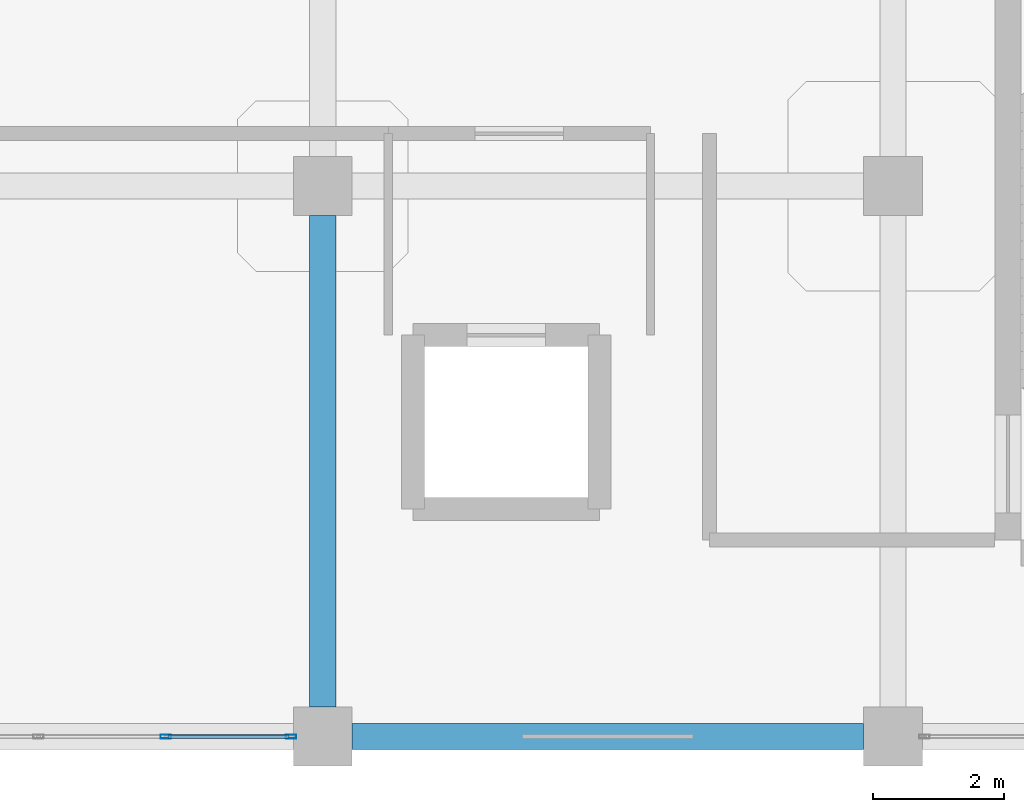
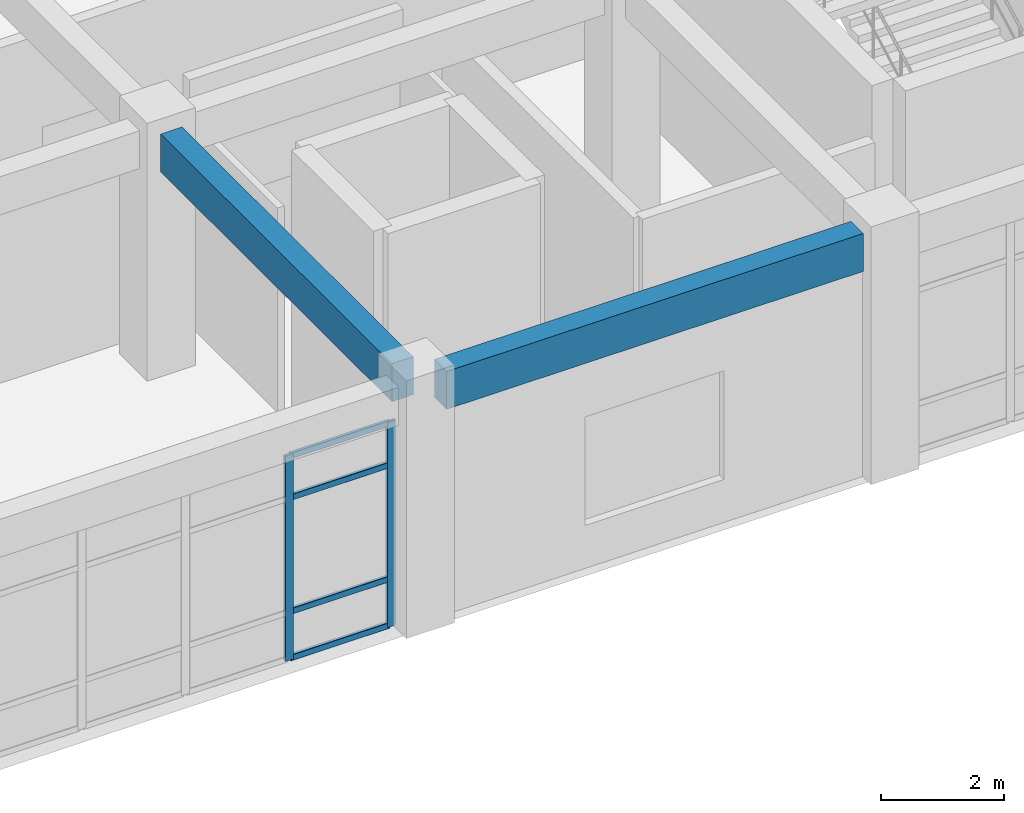
# One storey, part 56 of 120: 6 members, 2 beams, 1 element without a shape of its own.
"""IFC4 building model written with IfcOpenShell, lengths in metres."""

from ifc_helpers import new_model, si_unit, derived_unit, direction, frame, origin, origin_2d, place, context, subcontext, project, spatial, rectangle, hollow_rectangle, extrude, material, layer, layer_set, material_profile, profile_set, type_object, element, aggregate, save


model = new_model("IFC4")

# Units and contexts
model_context = context("Model", 3, precision=1e-05, world=origin(), true_north=direction((0.0, 1.0)))
body_context = subcontext(model_context, "Body", "Model", "MODEL_VIEW")
ifc_project = project(units=[si_unit("LENGTHUNIT", "METRE"), si_unit("AREAUNIT", "SQUARE_METRE"), si_unit("VOLUMEUNIT", "CUBIC_METRE"), si_unit("PLANEANGLEUNIT", "RADIAN"), si_unit("MASSUNIT", "GRAM", prefix="KILO"), derived_unit("THERMALTRANSMITTANCEUNIT", [(si_unit("MASSUNIT", "GRAM", prefix="KILO"), 1), (si_unit("TIMEUNIT", "SECOND"), -3), (si_unit("THERMODYNAMICTEMPERATUREUNIT", "KELVIN"), -1)])], contexts=[model_context])

# Site, building, storey
site_placement = place(None, origin())
site = spatial("IfcSite", under=ifc_project, at=site_placement, CompositionType="ELEMENT")
building_placement = place(site_placement, origin())
building = spatial("IfcBuilding", under=site, at=building_placement, Name="Qinzheling Arcade Emporium", CompositionType="ELEMENT")
storey_placement = place(building_placement, frame((0.0, 0.0, 11.39990234375)))
storey = spatial("IfcBuildingStorey", under=building, at=storey_placement, Name="L03", CompositionType="ELEMENT", Elevation=11.39990234375)

# Curtain wall, members
ifc_material_1 = material(Name="Anodised aluminium and solar-control double glazing", Category="aluminium")
ifc_layer = layer(ifc_material_1, 0.159912109375, Name="Anodised aluminium and solar-control double glazing", Category="aluminium")
ifc_layer_set = layer_set([ifc_layer], Name="Anodised aluminium and solar-control double glazing")
curtain_wall_type = type_object("IfcCurtainWallType", Name="Food Hall Loggia Curtain Wall", PredefinedType="NOTDEFINED", material=ifc_layer_set)
curtain_wall_placement = place(storey_placement, origin())
curtain_wall = element("IfcCurtainWall", 1, at=curtain_wall_placement, inside=storey, type_object=curtain_wall_type, Name="Curtain Wall CW-L03-138", PredefinedType="NOTDEFINED")
ifc_material_2 = material(Name="Anodised aluminium 6063-T6", Category="aluminium")
ifc_material_profile_1 = material_profile(ifc_material_2, hollow_rectangle(XDim=0.06005859375, YDim=0.159912109375, WallThickness=0.00390625, InnerFilletRadius=0.00390625, OuterFilletRadius=0.008056640625, at=origin_2d()), Name="RHS 160x60x4", Category="aluminium")
ifc_profile_set_1 = profile_set([ifc_material_profile_1], Name="Anodised aluminium 6063-T6")
member_type_1 = type_object("IfcMemberType", Name="Curtain Wall Mullion RHS160x60", PredefinedType="MULLION", material=ifc_profile_set_1)
member_1_placement = place(storey_placement, frame((130.01806640625, 0.0, 0.0), z_axis=(0.0, 0.0, 1.0), x_axis=(0.0, -1.0, 0.0)))
member_1 = element("IfcMember", 2, at=member_1_placement, type_object=member_type_1, Name="CW04 mullion 1", PredefinedType="MULLION", context=body_context, shape_type="SweptSolid", body=[
    extrude(hollow_rectangle(XDim=0.06005859375, YDim=0.159912109375, WallThickness=0.00390625, InnerFilletRadius=0.00390625, OuterFilletRadius=0.008056640625, at=origin_2d()), origin(), (0.0, 0.0, 1.0), 4.05517578125),
])
member_2_placement = place(storey_placement, frame((128.105224609375, 0.0, 0.0), z_axis=(0.0, 0.0, 1.0), x_axis=(0.0, -1.0, 0.0)))
member_2 = element("IfcMember", 3, at=member_2_placement, type_object=member_type_1, Name="CW04 mullion 2", PredefinedType="MULLION", context=body_context, shape_type="SweptSolid", body=[
    extrude(hollow_rectangle(XDim=0.06005859375, YDim=0.159912109375, WallThickness=0.00390625, InnerFilletRadius=0.00390625, OuterFilletRadius=0.008056640625, at=origin_2d()), origin(), (0.0, 0.0, 1.0), 4.05517578125),
])
ifc_material_profile_2 = material_profile(ifc_material_2, hollow_rectangle(XDim=0.06005859375, YDim=0.1201171875, WallThickness=0.00390625, InnerFilletRadius=0.00390625, OuterFilletRadius=0.008056640625, at=origin_2d()), Name="RHS 120x60x4", Category="aluminium")
ifc_profile_set_2 = profile_set([ifc_material_profile_2], Name="Anodised aluminium 6063-T6")
member_type_2 = type_object("IfcMemberType", Name="Curtain Wall Transom RHS120x60", PredefinedType="USERDEFINED", material=ifc_profile_set_2)
member_3_placement = place(storey_placement, frame((129.988037109375, 0.0, 0.030029296875), z_axis=(-1.0, 0.0, 0.0), x_axis=(0.0, -1.0, 0.0)))
member_3 = element("IfcMember", 4, at=member_3_placement, type_object=member_type_2, Name="CW04 transom 1.1", ObjectType="TRANSOM", PredefinedType="USERDEFINED", context=body_context, shape_type="SweptSolid", body=[
    extrude(hollow_rectangle(XDim=0.06005859375, YDim=0.1201171875, WallThickness=0.00390625, InnerFilletRadius=0.00390625, OuterFilletRadius=0.008056640625, at=origin_2d()), origin(), (0.0, 0.0, 1.0), 1.852783203125),
])
member_4_placement = place(storey_placement, frame((129.988037109375, 0.0, 0.9501953125), z_axis=(-1.0, 0.0, 0.0), x_axis=(0.0, -1.0, 0.0)))
member_4 = element("IfcMember", 5, at=member_4_placement, type_object=member_type_2, Name="CW04 transom 1.2", ObjectType="TRANSOM", PredefinedType="USERDEFINED", context=body_context, shape_type="SweptSolid", body=[
    extrude(hollow_rectangle(XDim=0.06005859375, YDim=0.1201171875, WallThickness=0.00390625, InnerFilletRadius=0.00390625, OuterFilletRadius=0.008056640625, at=origin_2d()), origin(), (0.0, 0.0, 1.0), 1.852783203125),
])
member_5_placement = place(storey_placement, frame((129.988037109375, 0.0, 3.205078125), z_axis=(-1.0, 0.0, 0.0), x_axis=(0.0, -1.0, 0.0)))
member_5 = element("IfcMember", 6, at=member_5_placement, type_object=member_type_2, Name="CW04 transom 1.3", ObjectType="TRANSOM", PredefinedType="USERDEFINED", context=body_context, shape_type="SweptSolid", body=[
    extrude(hollow_rectangle(XDim=0.06005859375, YDim=0.1201171875, WallThickness=0.00390625, InnerFilletRadius=0.00390625, OuterFilletRadius=0.008056640625, at=origin_2d()), origin(), (0.0, 0.0, 1.0), 1.852783203125),
])
member_6_placement = place(storey_placement, frame((129.988037109375, 0.0, 4.025146484375), z_axis=(-1.0, 0.0, 0.0), x_axis=(0.0, -1.0, 0.0)))
member_6 = element("IfcMember", 7, at=member_6_placement, type_object=member_type_2, Name="CW04 transom 1.4", ObjectType="TRANSOM", PredefinedType="USERDEFINED", context=body_context, shape_type="SweptSolid", body=[
    extrude(hollow_rectangle(XDim=0.06005859375, YDim=0.1201171875, WallThickness=0.00390625, InnerFilletRadius=0.00390625, OuterFilletRadius=0.008056640625, at=origin_2d()), origin(), (0.0, 0.0, 1.0), 1.852783203125),
])
aggregate(curtain_wall, [member_1, member_2, member_3, member_4, member_5, member_6])

# Beams
ifc_material_3 = material(Name="Concrete C40", Category="concrete")
ifc_material_profile_3 = material_profile(ifc_material_3, rectangle(XDim=0.39990234375, YDim=0.75, at=origin_2d()), Name="RC 400x750", Category="concrete")
ifc_profile_set_3 = profile_set([ifc_material_profile_3], Name="Concrete C40")
beam_type = type_object("IfcBeamType", Name="RC Interior Tie Beam 400x750 C40", PredefinedType="BEAM", material=ifc_profile_set_3)
beam_1_placement = place(storey_placement, frame((130.949951171875, 0.0, 4.445068359375), z_axis=(1.0, 0.0, 0.0), x_axis=(0.0, 1.0, 0.0)))
element("IfcBeam", 8, at=beam_1_placement, inside=storey, type_object=beam_type, Name="Beam BM-L03-X-A-16", PredefinedType="BEAM", context=body_context, shape_type="SweptSolid", body=[
    extrude(rectangle(XDim=0.39990234375, YDim=0.75, at=origin_2d()), origin(), (0.0, 0.0, 1.0), 7.800048828125),
])
beam_2_placement = place(storey_placement, frame((130.5, 0.449951171875, 4.43017578125), z_axis=(0.0, 1.0, 0.0), x_axis=(-1.0, 0.0, 0.0)))
element("IfcBeam", 9, at=beam_2_placement, inside=storey, type_object=beam_type, Name="Beam BM-L03-Y-16-A", PredefinedType="BEAM", context=body_context, shape_type="SweptSolid", body=[
    extrude(rectangle(XDim=0.39990234375, YDim=0.75, at=origin_2d()), origin(), (0.0, 0.0, 1.0), 7.5),
])

save(model, "model.ifc")
